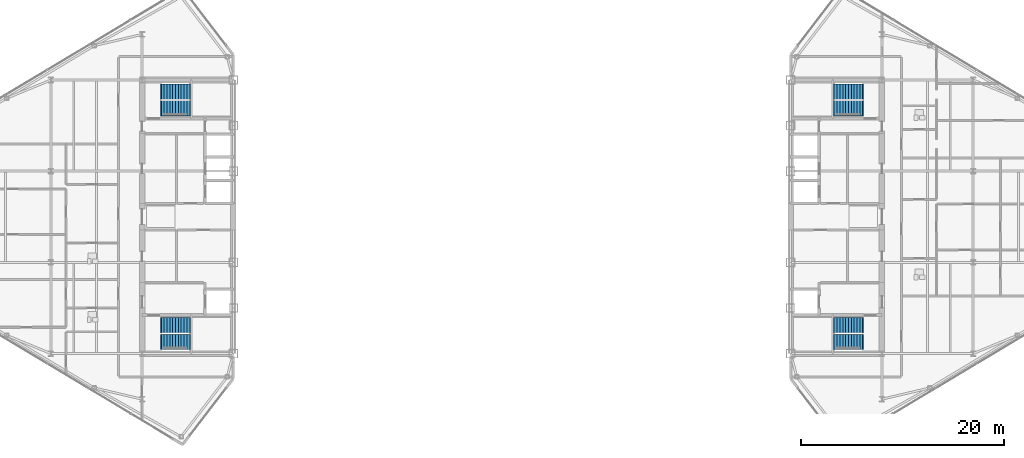
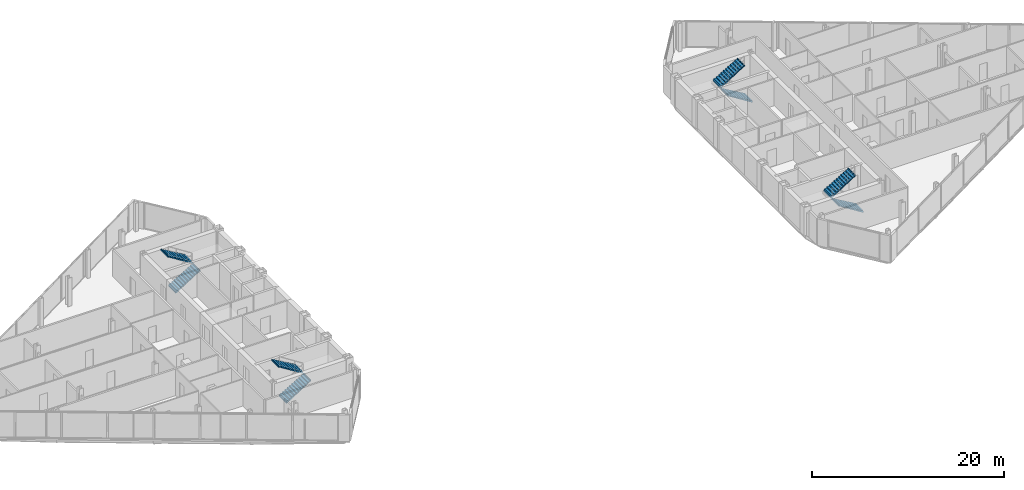
# One storey, part 24 of 26: 8 stair flights, 4 elements without a shape of their own.
"""IFC4 building model written with IfcOpenShell, lengths in metres."""

import ifcopenshell
import ifcopenshell.guid

model = None  # the IFC model being written
_history = None  # IfcOwnerHistory: only IFC2X3 demands one
_inside = {}  # id of a spatial element -> (the spatial element, [elements in it])
_under = {}  # id of a project, library or spatial element -> (it, [spatial elements below it])
_declared = {}  # id of a project -> (the project, [libraries it declares])
_typed = {}  # id of a type object -> (the type object, [elements of that type])
_made_of = {}  # id of a material, layer set ... -> (it, [elements and type objects made of it])


def new_model(schema):
    """Start an empty IFC model of exactly this schema.

    Asked for "IFC4X3", IfcOpenShell would pick the latest addendum, in which some entities
    have other attributes; the version numbers below select the first issue.
    IFC2X3 requires an IfcOwnerHistory on every rooted entity: one is made here for all.
    """
    global model, _history
    if schema == "IFC4X3":
        model = ifcopenshell.file(schema_version=(4, 3, 0, 0))
    else:
        model = ifcopenshell.file(schema=schema)
    _inside.clear()
    _under.clear()
    _declared.clear()
    _typed.clear()
    _made_of.clear()
    _history = None
    if model.schema == "IFC2X3":
        org = make("IfcOrganization", Name="unknown")
        user = make(
            "IfcPersonAndOrganization",
            ThePerson=make("IfcPerson", FamilyName="unknown"),
            TheOrganization=org,
        )
        app = make(
            "IfcApplication",
            ApplicationDeveloper=org,
            Version="unknown",
            ApplicationFullName="unknown",
            ApplicationIdentifier="unknown",
        )
        _history = make(
            "IfcOwnerHistory",
            OwningUser=user,
            OwningApplication=app,
            ChangeAction="ADDED",
            CreationDate=0,
        )
    return model


def make(cls, **values):
    """One entity of the class cls with the attributes given. An attribute that is None is left unset."""
    return model.create_entity(
        cls, **{name: value for name, value in values.items() if value is not None}
    )


def rooted(cls, **values):
    """An entity with a GlobalId (a new one), such as an element, a storey or a relation."""
    return make(cls, GlobalId=ifcopenshell.guid.new(), OwnerHistory=_history, **values)


def si_unit(unit_type, name, prefix=None):
    """IfcSIUnit, for example si_unit("LENGTHUNIT", "METRE", prefix="MILLI")."""
    return make("IfcSIUnit", UnitType=unit_type, Prefix=prefix, Name=name)


def assignment(units):
    """IfcUnitAssignment: the units of a project."""
    return None if units is None else make("IfcUnitAssignment", Units=units)


def point(xyz):
    """IfcCartesianPoint."""
    return None if xyz is None else make("IfcCartesianPoint", Coordinates=xyz)


def direction(xyz):
    """IfcDirection."""
    return None if xyz is None else make("IfcDirection", DirectionRatios=xyz)


def frame(location, z_axis=None, x_axis=None):
    """IfcAxis2Placement3D, a coordinate frame: its origin and axes. An axis left out is left unset."""
    return make(
        "IfcAxis2Placement3D",
        Location=point(location),
        Axis=direction(z_axis),
        RefDirection=direction(x_axis),
    )


def origin():
    """The frame at (0, 0, 0) with its axes left unset."""
    return frame((0.0, 0.0, 0.0))


def place(relative_to, where):
    """IfcLocalPlacement: puts the frame where relative to a parent placement (None: the world)."""
    return make(
        "IfcLocalPlacement", PlacementRelTo=relative_to, RelativePlacement=where
    )


def context(
    kind, dimensions, precision=None, world=None, true_north=None, identifier=None
):
    """IfcGeometricRepresentationContext, for example the 3D "Model" context."""
    return make(
        "IfcGeometricRepresentationContext",
        ContextIdentifier=identifier,
        ContextType=kind,
        CoordinateSpaceDimension=dimensions,
        Precision=precision,
        WorldCoordinateSystem=world,
        TrueNorth=true_north,
    )


def subcontext(parent, identifier, kind, view, scale=None):
    """IfcGeometricRepresentationSubContext, for example "Body" below "Model"."""
    return make(
        "IfcGeometricRepresentationSubContext",
        ContextIdentifier=identifier,
        ContextType=kind,
        ParentContext=parent,
        TargetScale=scale,
        TargetView=view,
    )


def project(units=None, contexts=None):
    """IfcProject with its units and contexts."""
    return rooted(
        "IfcProject",
        Name="project",
        RepresentationContexts=contexts,
        UnitsInContext=assignment(units),
    )


def spatial(cls, under=None, at=None, **own):
    """A site, building, storey or space (cls), placed at a placement, below another one or the project."""
    s = rooted(cls, ObjectPlacement=at, **own)
    if under is not None:
        _under.setdefault(under.id(), (under, []))[1].append(s)
    return s


def polyline(points):
    """IfcPolyline through the points."""
    return make("IfcPolyline", Points=[point(p) for p in points])


def outline(outer, holes=None, kind="AREA"):
    """IfcArbitraryClosedProfileDef: a profile drawn as a closed curve; with holes, ...WithVoids."""
    if holes is None:
        return make("IfcArbitraryClosedProfileDef", ProfileType=kind, OuterCurve=outer)
    return make(
        "IfcArbitraryProfileDefWithVoids",
        ProfileType=kind,
        OuterCurve=outer,
        InnerCurves=holes,
    )


def extrude(swept, where, along, depth):
    """IfcExtrudedAreaSolid: the profile swept, set in the frame where, extruded along a direction by depth."""
    return make(
        "IfcExtrudedAreaSolid",
        SweptArea=swept,
        Position=where,
        ExtrudedDirection=direction(along),
        Depth=depth,
    )


def shape(context_of_items, identifier, shape_type, items):
    """IfcShapeRepresentation: the items that make up one representation, for example the "Body"."""
    return make(
        "IfcShapeRepresentation",
        ContextOfItems=context_of_items,
        RepresentationIdentifier=identifier,
        RepresentationType=shape_type,
        Items=items,
    )


def material(Name=None, Category=None):
    """IfcMaterial."""
    return make("IfcMaterial", Name=Name, Category=Category)


def made_of(thing, what):
    """Note that an element or type object is made of a material, layer set ...; save() writes the relation."""
    if what is not None:
        _made_of.setdefault(what.id(), (what, []))[1].append(thing)
    return thing


def type_object(cls, material=None, **own):
    """A type object (cls), such as IfcWallType, which elements share."""
    return made_of(rooted(cls, **own), material)


def element(
    cls,
    number,
    at=None,
    inside=None,
    cuts=None,
    type_object=None,
    material=None,
    context=None,
    identifier="Body",
    shape_type=None,
    held_by="IfcProductDefinitionShape",
    body=None,
    shapes=None,
    **own,
):
    """One element of the class cls, such as IfcWall. Its Tag is "e" and its number.

    at: its placement. inside: the storey or other place that contains it. cuts: it is an
    opening in that element (IfcRelVoidsElement). A single representation is given by context,
    identifier, shape_type and body (its items); several are given by shapes. held_by: the class
    of the entity that holds the representations. save() writes the other relations.
    """
    e = rooted(cls, Tag="e%d" % number, ObjectPlacement=at, **own)
    if body is not None:
        shapes = [shape(context, identifier, shape_type, body)]
    if shapes is not None:
        e.Representation = make(held_by, Representations=shapes)
    if inside is not None:
        _inside.setdefault(inside.id(), (inside, []))[1].append(e)
    if cuts is not None:
        rooted(
            "IfcRelVoidsElement", RelatingBuildingElement=cuts, RelatedOpeningElement=e
        )
    if type_object is not None:
        _typed.setdefault(type_object.id(), (type_object, []))[1].append(e)
    return made_of(e, material)


def aggregate(whole, parts):
    """IfcRelAggregates: a whole, such as a stair, and the parts it consists of."""
    return rooted("IfcRelAggregates", RelatingObject=whole, RelatedObjects=parts)


def save(model, path):
    """Write the relations noted so far, then the file.

    IfcRelAggregates (storeys below a building ...), IfcRelContainedInSpatialStructure (elements
    in a storey), IfcRelDefinesByType, IfcRelAssociatesMaterial and IfcRelDeclares: one each for
    every whole, place, type object, material and project.
    """
    for whole, parts in _under.values():
        aggregate(whole, parts)
    for where, things in _inside.values():
        rooted(
            "IfcRelContainedInSpatialStructure",
            RelatedElements=things,
            RelatingStructure=where,
        )
    for kind, things in _typed.values():
        rooted("IfcRelDefinesByType", RelatedObjects=things, RelatingType=kind)
    for what, things in _made_of.values():
        rooted("IfcRelAssociatesMaterial", RelatedObjects=things, RelatingMaterial=what)
    for by, libraries in _declared.values():
        rooted("IfcRelDeclares", RelatingContext=by, RelatedDefinitions=libraries)
    model.write(path)


model = new_model("IFC4")

# Units and contexts
model_context = context("Model", 3, precision=1e-05, world=origin(), true_north=direction((0.0, 1.0)))
body_context = subcontext(model_context, "Body", "Model", "MODEL_VIEW")
ifc_project = project(units=[si_unit("LENGTHUNIT", "METRE"), si_unit("AREAUNIT", "SQUARE_METRE"), si_unit("VOLUMEUNIT", "CUBIC_METRE"), si_unit("PLANEANGLEUNIT", "RADIAN"), si_unit("MASSUNIT", "GRAM", prefix="KILO")], contexts=[model_context])

# Site, building, storey
site_placement = place(None, origin())
site = spatial("IfcSite", under=ifc_project, at=site_placement, CompositionType="ELEMENT")
building_placement = place(site_placement, origin())
building = spatial("IfcBuilding", under=site, at=building_placement, Name="Seokmaru Belvedere", CompositionType="ELEMENT")
storey_placement = place(building_placement, frame((0.0, 0.0, 199.5)))
storey = spatial("IfcBuildingStorey", under=building, at=storey_placement, Name="L53", CompositionType="ELEMENT", Elevation=199.5)

# Stair, stair flights
ifc_material = material(Name="Concrete C40 (40 MPa)", Category="concrete")
stair_type = type_object("IfcStairType", Name="Typical Tower Core Dog-Leg Stair 3600", PredefinedType="TWO_STRAIGHT_RUN_STAIR", material=ifc_material)
stair_1_placement = place(storey_placement, origin())
stair_1 = element("IfcStair", 1, at=stair_1_placement, inside=storey, type_object=stair_type, Name="L53 Special Escape Stair ST-W1", PredefinedType="TWO_STRAIGHT_RUN_STAIR")
stair_flight_type = type_object("IfcStairFlightType", Name="Reinforced Concrete Stair Flight 1500", PredefinedType="STRAIGHT", material=ifc_material)
stair_flight_1_placement = place(storey_placement, frame((-34.60009765625, -12.35009765625, 0.0), z_axis=(0.0, 0.0, 1.0), x_axis=(1.0, 0.0, 0.0)))
stair_flight_1 = element("IfcStairFlight", 2, at=stair_flight_1_placement, type_object=stair_flight_type, Name="ST-W1 flight 1", NumberOfRisers=11, NumberOfTreads=10, PredefinedType="STRAIGHT", RiserHeight=0.163636364, TreadLength=0.28, context=body_context, shape_type="SweptSolid", body=[
    extrude(outline(polyline([(-0.080078125, 0.0), (0.0, 0.16357421875), (0.280029296875, 0.16357421875), (0.280029296875, 0.327392578125), (0.56005859375, 0.327392578125), (0.56005859375, 0.490966796875), (0.840087890625, 0.490966796875), (0.840087890625, 0.654541015625), (1.1201171875, 0.654541015625), (1.1201171875, 0.818115234375), (1.39990234375, 0.818115234375), (1.39990234375, 0.98193359375), (1.679931640625, 0.98193359375), (1.679931640625, 1.1455078125), (1.9599609375, 1.1455078125), (1.9599609375, 1.30908203125), (2.239990234375, 1.30908203125), (2.239990234375, 1.47265625), (2.52001953125, 1.47265625), (2.52001953125, 1.636474609375), (2.800048828125, 1.636474609375), (2.800048828125, 1.800048828125), (2.8798828125, 1.800048828125), (2.8798828125, 1.610107421875), (2.800048828125, 1.610107421875), (0.0, -0.159912109375), (-0.080078125, -0.159912109375), (-0.080078125, 0.0)])), frame((0.0, 0.75, 0.0), z_axis=(0.0, -1.0, 0.0), x_axis=(1.0, 0.0, 0.0)), (0.0, 0.0, 1.0), 1.5),
])
stair_flight_2_placement = place(storey_placement, frame((-31.800048828125, -10.7099609375, 1.800048828125), z_axis=(0.0, 0.0, 1.0), x_axis=(-1.0, 0.0, 0.0)))
stair_flight_2 = element("IfcStairFlight", 3, at=stair_flight_2_placement, type_object=stair_flight_type, Name="ST-W1 flight 2", NumberOfRisers=11, NumberOfTreads=10, PredefinedType="STRAIGHT", RiserHeight=0.163636364, TreadLength=0.28, context=body_context, shape_type="SweptSolid", body=[
    extrude(outline(polyline([(-0.080078125, 0.0), (0.0, 0.16357421875), (0.280029296875, 0.16357421875), (0.280029296875, 0.327392578125), (0.56005859375, 0.327392578125), (0.56005859375, 0.490966796875), (0.840087890625, 0.490966796875), (0.840087890625, 0.654541015625), (1.1201171875, 0.654541015625), (1.1201171875, 0.818115234375), (1.39990234375, 0.818115234375), (1.39990234375, 0.98193359375), (1.679931640625, 0.98193359375), (1.679931640625, 1.1455078125), (1.9599609375, 1.1455078125), (1.9599609375, 1.30908203125), (2.239990234375, 1.30908203125), (2.239990234375, 1.47265625), (2.52001953125, 1.47265625), (2.52001953125, 1.636474609375), (2.800048828125, 1.636474609375), (2.800048828125, 1.800048828125), (2.8798828125, 1.800048828125), (2.8798828125, 1.610107421875), (2.800048828125, 1.610107421875), (0.0, -0.159912109375), (-0.080078125, -0.159912109375), (-0.080078125, 0.0)])), frame((0.0, 0.75, 0.0), z_axis=(0.0, -1.0, 0.0), x_axis=(1.0, 0.0, 0.0)), (0.0, 0.0, 1.0), 1.5),
])
aggregate(stair_1, [stair_flight_1, stair_flight_2])

stair_2_placement = place(storey_placement, origin())
stair_2 = element("IfcStair", 4, at=stair_2_placement, inside=storey, type_object=stair_type, Name="L53 Special Escape Stair ST-W2", PredefinedType="TWO_STRAIGHT_RUN_STAIR")
stair_flight_3_placement = place(storey_placement, frame((-34.60009765625, 10.7099609375, 0.0), z_axis=(0.0, 0.0, 1.0), x_axis=(1.0, 0.0, 0.0)))
stair_flight_3 = element("IfcStairFlight", 5, at=stair_flight_3_placement, type_object=stair_flight_type, Name="ST-W2 flight 1", NumberOfRisers=11, NumberOfTreads=10, PredefinedType="STRAIGHT", RiserHeight=0.163636364, TreadLength=0.28, context=body_context, shape_type="SweptSolid", body=[
    extrude(outline(polyline([(-0.080078125, 0.0), (0.0, 0.16357421875), (0.280029296875, 0.16357421875), (0.280029296875, 0.327392578125), (0.56005859375, 0.327392578125), (0.56005859375, 0.490966796875), (0.840087890625, 0.490966796875), (0.840087890625, 0.654541015625), (1.1201171875, 0.654541015625), (1.1201171875, 0.818115234375), (1.39990234375, 0.818115234375), (1.39990234375, 0.98193359375), (1.679931640625, 0.98193359375), (1.679931640625, 1.1455078125), (1.9599609375, 1.1455078125), (1.9599609375, 1.30908203125), (2.239990234375, 1.30908203125), (2.239990234375, 1.47265625), (2.52001953125, 1.47265625), (2.52001953125, 1.636474609375), (2.800048828125, 1.636474609375), (2.800048828125, 1.800048828125), (2.8798828125, 1.800048828125), (2.8798828125, 1.610107421875), (2.800048828125, 1.610107421875), (0.0, -0.159912109375), (-0.080078125, -0.159912109375), (-0.080078125, 0.0)])), frame((0.0, 0.75, 0.0), z_axis=(0.0, -1.0, 0.0), x_axis=(1.0, 0.0, 0.0)), (0.0, 0.0, 1.0), 1.5),
])
stair_flight_4_placement = place(storey_placement, frame((-31.800048828125, 12.35009765625, 1.800048828125), z_axis=(0.0, 0.0, 1.0), x_axis=(-1.0, 0.0, 0.0)))
stair_flight_4 = element("IfcStairFlight", 6, at=stair_flight_4_placement, type_object=stair_flight_type, Name="ST-W2 flight 2", NumberOfRisers=11, NumberOfTreads=10, PredefinedType="STRAIGHT", RiserHeight=0.163636364, TreadLength=0.28, context=body_context, shape_type="SweptSolid", body=[
    extrude(outline(polyline([(-0.080078125, 0.0), (0.0, 0.16357421875), (0.280029296875, 0.16357421875), (0.280029296875, 0.327392578125), (0.56005859375, 0.327392578125), (0.56005859375, 0.490966796875), (0.840087890625, 0.490966796875), (0.840087890625, 0.654541015625), (1.1201171875, 0.654541015625), (1.1201171875, 0.818115234375), (1.39990234375, 0.818115234375), (1.39990234375, 0.98193359375), (1.679931640625, 0.98193359375), (1.679931640625, 1.1455078125), (1.9599609375, 1.1455078125), (1.9599609375, 1.30908203125), (2.239990234375, 1.30908203125), (2.239990234375, 1.47265625), (2.52001953125, 1.47265625), (2.52001953125, 1.636474609375), (2.800048828125, 1.636474609375), (2.800048828125, 1.800048828125), (2.8798828125, 1.800048828125), (2.8798828125, 1.610107421875), (2.800048828125, 1.610107421875), (0.0, -0.159912109375), (-0.080078125, -0.159912109375), (-0.080078125, 0.0)])), frame((0.0, 0.75, 0.0), z_axis=(0.0, -1.0, 0.0), x_axis=(1.0, 0.0, 0.0)), (0.0, 0.0, 1.0), 1.5),
])
aggregate(stair_2, [stair_flight_3, stair_flight_4])

stair_3_placement = place(storey_placement, origin())
stair_3 = element("IfcStair", 7, at=stair_3_placement, inside=storey, type_object=stair_type, Name="L53 Special Escape Stair ST-E1", PredefinedType="TWO_STRAIGHT_RUN_STAIR")
stair_flight_5_placement = place(storey_placement, frame((34.60009765625, -12.35009765625, 0.0), z_axis=(0.0, 0.0, 1.0), x_axis=(-1.0, 0.0, 0.0)))
stair_flight_5 = element("IfcStairFlight", 8, at=stair_flight_5_placement, type_object=stair_flight_type, Name="ST-E1 flight 1", NumberOfRisers=11, NumberOfTreads=10, PredefinedType="STRAIGHT", RiserHeight=0.163636364, TreadLength=0.28, context=body_context, shape_type="SweptSolid", body=[
    extrude(outline(polyline([(-0.080078125, 0.0), (0.0, 0.16357421875), (0.280029296875, 0.16357421875), (0.280029296875, 0.327392578125), (0.56005859375, 0.327392578125), (0.56005859375, 0.490966796875), (0.840087890625, 0.490966796875), (0.840087890625, 0.654541015625), (1.1201171875, 0.654541015625), (1.1201171875, 0.818115234375), (1.39990234375, 0.818115234375), (1.39990234375, 0.98193359375), (1.679931640625, 0.98193359375), (1.679931640625, 1.1455078125), (1.9599609375, 1.1455078125), (1.9599609375, 1.30908203125), (2.239990234375, 1.30908203125), (2.239990234375, 1.47265625), (2.52001953125, 1.47265625), (2.52001953125, 1.636474609375), (2.800048828125, 1.636474609375), (2.800048828125, 1.800048828125), (2.8798828125, 1.800048828125), (2.8798828125, 1.610107421875), (2.800048828125, 1.610107421875), (0.0, -0.159912109375), (-0.080078125, -0.159912109375), (-0.080078125, 0.0)])), frame((0.0, 0.75, 0.0), z_axis=(0.0, -1.0, 0.0), x_axis=(1.0, 0.0, 0.0)), (0.0, 0.0, 1.0), 1.5),
])
stair_flight_6_placement = place(storey_placement, frame((31.800048828125, -10.7099609375, 1.800048828125), z_axis=(0.0, 0.0, 1.0), x_axis=(1.0, 0.0, 0.0)))
stair_flight_6 = element("IfcStairFlight", 9, at=stair_flight_6_placement, type_object=stair_flight_type, Name="ST-E1 flight 2", NumberOfRisers=11, NumberOfTreads=10, PredefinedType="STRAIGHT", RiserHeight=0.163636364, TreadLength=0.28, context=body_context, shape_type="SweptSolid", body=[
    extrude(outline(polyline([(-0.080078125, 0.0), (0.0, 0.16357421875), (0.280029296875, 0.16357421875), (0.280029296875, 0.327392578125), (0.56005859375, 0.327392578125), (0.56005859375, 0.490966796875), (0.840087890625, 0.490966796875), (0.840087890625, 0.654541015625), (1.1201171875, 0.654541015625), (1.1201171875, 0.818115234375), (1.39990234375, 0.818115234375), (1.39990234375, 0.98193359375), (1.679931640625, 0.98193359375), (1.679931640625, 1.1455078125), (1.9599609375, 1.1455078125), (1.9599609375, 1.30908203125), (2.239990234375, 1.30908203125), (2.239990234375, 1.47265625), (2.52001953125, 1.47265625), (2.52001953125, 1.636474609375), (2.800048828125, 1.636474609375), (2.800048828125, 1.800048828125), (2.8798828125, 1.800048828125), (2.8798828125, 1.610107421875), (2.800048828125, 1.610107421875), (0.0, -0.159912109375), (-0.080078125, -0.159912109375), (-0.080078125, 0.0)])), frame((0.0, 0.75, 0.0), z_axis=(0.0, -1.0, 0.0), x_axis=(1.0, 0.0, 0.0)), (0.0, 0.0, 1.0), 1.5),
])
aggregate(stair_3, [stair_flight_5, stair_flight_6])

stair_4_placement = place(storey_placement, origin())
stair_4 = element("IfcStair", 10, at=stair_4_placement, inside=storey, type_object=stair_type, Name="L53 Special Escape Stair ST-E2", PredefinedType="TWO_STRAIGHT_RUN_STAIR")
stair_flight_7_placement = place(storey_placement, frame((34.60009765625, 10.7099609375, 0.0), z_axis=(0.0, 0.0, 1.0), x_axis=(-1.0, 0.0, 0.0)))
stair_flight_7 = element("IfcStairFlight", 11, at=stair_flight_7_placement, type_object=stair_flight_type, Name="ST-E2 flight 1", NumberOfRisers=11, NumberOfTreads=10, PredefinedType="STRAIGHT", RiserHeight=0.163636364, TreadLength=0.28, context=body_context, shape_type="SweptSolid", body=[
    extrude(outline(polyline([(-0.080078125, 0.0), (0.0, 0.16357421875), (0.280029296875, 0.16357421875), (0.280029296875, 0.327392578125), (0.56005859375, 0.327392578125), (0.56005859375, 0.490966796875), (0.840087890625, 0.490966796875), (0.840087890625, 0.654541015625), (1.1201171875, 0.654541015625), (1.1201171875, 0.818115234375), (1.39990234375, 0.818115234375), (1.39990234375, 0.98193359375), (1.679931640625, 0.98193359375), (1.679931640625, 1.1455078125), (1.9599609375, 1.1455078125), (1.9599609375, 1.30908203125), (2.239990234375, 1.30908203125), (2.239990234375, 1.47265625), (2.52001953125, 1.47265625), (2.52001953125, 1.636474609375), (2.800048828125, 1.636474609375), (2.800048828125, 1.800048828125), (2.8798828125, 1.800048828125), (2.8798828125, 1.610107421875), (2.800048828125, 1.610107421875), (0.0, -0.159912109375), (-0.080078125, -0.159912109375), (-0.080078125, 0.0)])), frame((0.0, 0.75, 0.0), z_axis=(0.0, -1.0, 0.0), x_axis=(1.0, 0.0, 0.0)), (0.0, 0.0, 1.0), 1.5),
])
stair_flight_8_placement = place(storey_placement, frame((31.800048828125, 12.35009765625, 1.800048828125), z_axis=(0.0, 0.0, 1.0), x_axis=(1.0, 0.0, 0.0)))
stair_flight_8 = element("IfcStairFlight", 12, at=stair_flight_8_placement, type_object=stair_flight_type, Name="ST-E2 flight 2", NumberOfRisers=11, NumberOfTreads=10, PredefinedType="STRAIGHT", RiserHeight=0.163636364, TreadLength=0.28, context=body_context, shape_type="SweptSolid", body=[
    extrude(outline(polyline([(-0.080078125, 0.0), (0.0, 0.16357421875), (0.280029296875, 0.16357421875), (0.280029296875, 0.327392578125), (0.56005859375, 0.327392578125), (0.56005859375, 0.490966796875), (0.840087890625, 0.490966796875), (0.840087890625, 0.654541015625), (1.1201171875, 0.654541015625), (1.1201171875, 0.818115234375), (1.39990234375, 0.818115234375), (1.39990234375, 0.98193359375), (1.679931640625, 0.98193359375), (1.679931640625, 1.1455078125), (1.9599609375, 1.1455078125), (1.9599609375, 1.30908203125), (2.239990234375, 1.30908203125), (2.239990234375, 1.47265625), (2.52001953125, 1.47265625), (2.52001953125, 1.636474609375), (2.800048828125, 1.636474609375), (2.800048828125, 1.800048828125), (2.8798828125, 1.800048828125), (2.8798828125, 1.610107421875), (2.800048828125, 1.610107421875), (0.0, -0.159912109375), (-0.080078125, -0.159912109375), (-0.080078125, 0.0)])), frame((0.0, 0.75, 0.0), z_axis=(0.0, -1.0, 0.0), x_axis=(1.0, 0.0, 0.0)), (0.0, 0.0, 1.0), 1.5),
])
aggregate(stair_4, [stair_flight_7, stair_flight_8])

save(model, "model.ifc")
